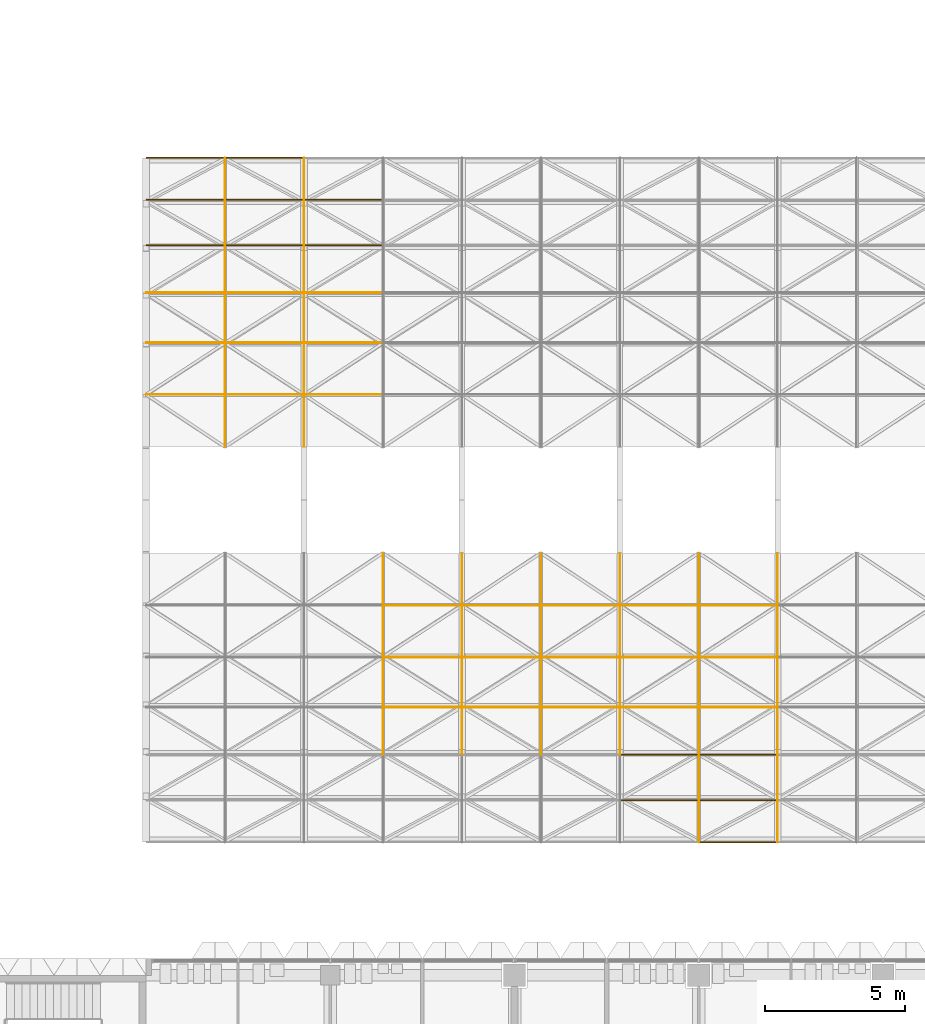
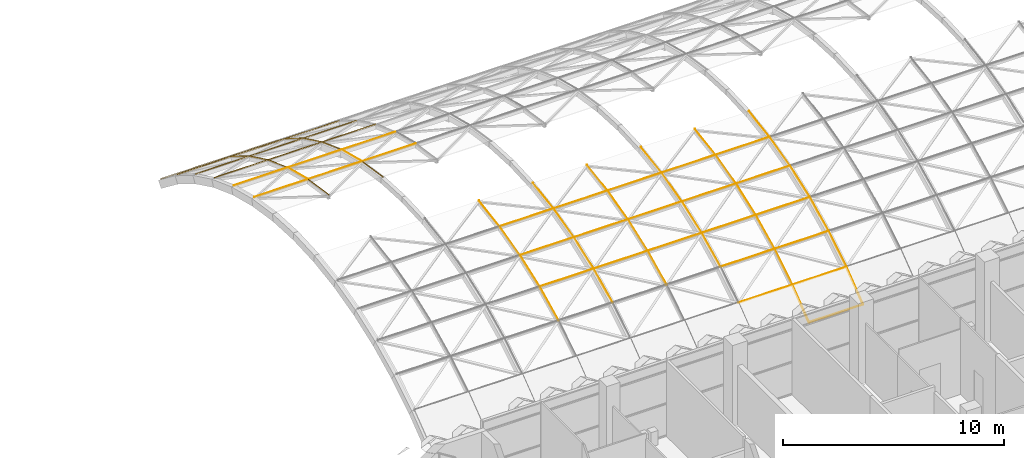
# One storey, part 58 of 85: 77 coverings.
"""IFC4 building model written with IfcOpenShell, lengths in metres."""

from ifc_helpers import new_model, si_unit, direction, frame, origin, origin_2d, place, context, subcontext, project, spatial, rectangle, extrude, material, material_profile, profile_set, type_object, element, save


model = new_model("IFC4")

# Units and contexts
model_context = context("Model", 3, precision=1e-05, world=origin(), true_north=direction((0.0, 1.0)))
body_context = subcontext(model_context, "Body", "Model", "MODEL_VIEW")
ifc_project = project(units=[si_unit("LENGTHUNIT", "METRE"), si_unit("AREAUNIT", "SQUARE_METRE"), si_unit("VOLUMEUNIT", "CUBIC_METRE"), si_unit("PLANEANGLEUNIT", "RADIAN"), si_unit("MASSUNIT", "GRAM", prefix="KILO")], contexts=[model_context])

# Site, building, storey
site_placement = place(None, origin())
site = spatial("IfcSite", under=ifc_project, at=site_placement, CompositionType="ELEMENT")
building_placement = place(site_placement, origin())
building = spatial("IfcBuilding", under=site, at=building_placement, Name="Lantern Court Research Institute", CompositionType="ELEMENT")
storey_placement = place(building_placement, frame((0.0, 0.0, 18.89990234375)))
storey = spatial("IfcBuildingStorey", under=building, at=storey_placement, Name="L04", CompositionType="ELEMENT", Elevation=18.89990234375)

# Coverings
ifc_material_1 = material(Name="Aluminium alloy 6063-T6", Category="aluminium")
ifc_material_profile_1 = material_profile(ifc_material_1, rectangle(XDim=0.01806640625, YDim=0.035888671875, at=origin_2d()), Name="Joint cover bar 18 x 36")
ifc_profile_set_1 = profile_set([ifc_material_profile_1], Name="Aluminium alloy 6063-T6")
covering_type_1 = type_object("IfcCoveringType", Name="Joint cover bar 18 x 36", PredefinedType="MOLDING", material=ifc_profile_set_1)
for number, where, z_axis, x_axis, name in (
    (1, (39.610107421875, 43.909423828125, 4.335693359375), (1.0, 0.0, 0.0), (0.0, 0.979787176632, -0.200042716708), "Joint cover bar"),
    (2, (39.610107421875, 45.753662109375, 3.861328125), (1.0, 0.0, 0.0), (0.0, 0.954713115517, -0.29752792652), "Joint cover bar"),
):
    element("IfcCovering", number, at=place(storey_placement, frame(where, z_axis=z_axis, x_axis=x_axis)), inside=storey, type_object=covering_type_1, Name=name, PredefinedType="MOLDING", context=body_context, shape_type="SweptSolid", body=[
        extrude(rectangle(XDim=0.01806640625, YDim=0.035888671875, at=origin_2d()), origin(), (0.0, 0.0, 1.0), 2.808349609375),
    ])
for number, where, z_axis, x_axis, name in (
    (3, (42.428466796875, 42.02783203125, 4.6220703125), (0.0, 0.988622571714, -0.150417454764), (-1.0, 0.0, 0.0), "Joint cover bar"),
    (4, (42.428466796875, 43.910400390625, 4.33544921875), (0.0, 0.968474356566, -0.249113268764), (-1.0, 0.0, 0.0), "Joint cover bar"),
):
    element("IfcCovering", number, at=place(storey_placement, frame(where, z_axis=z_axis, x_axis=x_axis)), inside=storey, type_object=covering_type_1, Name=name, PredefinedType="MOLDING", context=body_context, shape_type="SweptSolid", body=[
        extrude(rectangle(XDim=0.01806640625, YDim=0.035888671875, at=origin_2d()), origin(), (0.0, 0.0, 1.0), 1.90234375),
    ])
for number, where, z_axis, x_axis, name in (
    (5, (42.4384765625, 43.909423828125, 4.335693359375), (1.0, 0.0, 0.0), (0.0, 0.979787176632, -0.200042716708), "Joint cover bar"),
    (6, (42.4384765625, 45.753662109375, 3.861328125), (1.0, 0.0, 0.0), (0.0, 0.954713115517, -0.29752792652), "Joint cover bar"),
):
    element("IfcCovering", number, at=place(storey_placement, frame(where, z_axis=z_axis, x_axis=x_axis)), inside=storey, type_object=covering_type_1, Name=name, PredefinedType="MOLDING", context=body_context, shape_type="SweptSolid", body=[
        extrude(rectangle(XDim=0.01806640625, YDim=0.035888671875, at=origin_2d()), origin(), (0.0, 0.0, 1.0), 2.80859375),
    ])
for number, where, z_axis, x_axis, name in (
    (7, (45.257080078125, 42.02783203125, 4.6220703125), (0.0, 0.988622571714, -0.150417454764), (-1.0, 0.0, 0.0), "Joint cover bar"),
    (8, (45.257080078125, 43.910400390625, 4.33544921875), (0.0, 0.968474356566, -0.249113268764), (-1.0, 0.0, 0.0), "Joint cover bar"),
):
    element("IfcCovering", number, at=place(storey_placement, frame(where, z_axis=z_axis, x_axis=x_axis)), inside=storey, type_object=covering_type_1, Name=name, PredefinedType="MOLDING", context=body_context, shape_type="SweptSolid", body=[
        extrude(rectangle(XDim=0.01806640625, YDim=0.035888671875, at=origin_2d()), origin(), (0.0, 0.0, 1.0), 1.90234375),
    ])
for number, where, z_axis, x_axis, name in (
    (9, (45.26708984375, 43.909423828125, 4.335693359375), (1.0, 0.0, 0.0), (0.0, 0.979787176632, -0.200042716708), "Joint cover bar"),
    (10, (45.26708984375, 45.753662109375, 3.861328125), (1.0, 0.0, 0.0), (0.0, 0.954713115517, -0.29752792652), "Joint cover bar"),
):
    element("IfcCovering", number, at=place(storey_placement, frame(where, z_axis=z_axis, x_axis=x_axis)), inside=storey, type_object=covering_type_1, Name=name, PredefinedType="MOLDING", context=body_context, shape_type="SweptSolid", body=[
        extrude(rectangle(XDim=0.01806640625, YDim=0.035888671875, at=origin_2d()), origin(), (0.0, 0.0, 1.0), 2.80859375),
    ])
covering_1_placement = place(storey_placement, frame((48.085693359375, 34.497314453125, 3.861572265625), z_axis=(0.0, 0.968474356566, 0.249113268764), x_axis=(-1.0, 0.0, 0.0)))
element("IfcCovering", 11, at=covering_1_placement, inside=storey, type_object=covering_type_1, Name="Joint cover bar", PredefinedType="MOLDING", context=body_context, shape_type="SweptSolid", body=[
    extrude(rectangle(XDim=0.01806640625, YDim=0.035888671875, at=origin_2d()), origin(), (0.0, 0.0, 1.0), 1.90234375),
])
covering_2_placement = place(storey_placement, frame((48.095703125, 34.496337890625, 3.861328125), z_axis=(1.0, 0.0, 0.0), x_axis=(0.0, 0.954713115517, 0.29752792652)))
element("IfcCovering", 12, at=covering_2_placement, inside=storey, type_object=covering_type_1, Name="Joint cover bar", PredefinedType="MOLDING", context=body_context, shape_type="SweptSolid", body=[
    extrude(rectangle(XDim=0.01806640625, YDim=0.035888671875, at=origin_2d()), origin(), (0.0, 0.0, 1.0), 2.80859375),
])
covering_3_placement = place(storey_placement, frame((48.085693359375, 36.341552734375, 4.3359375), z_axis=(0.0, 0.988622571714, 0.150417454764), x_axis=(-1.0, 0.0, 0.0)))
element("IfcCovering", 13, at=covering_3_placement, inside=storey, type_object=covering_type_1, Name="Joint cover bar", PredefinedType="MOLDING", context=body_context, shape_type="SweptSolid", body=[
    extrude(rectangle(XDim=0.01806640625, YDim=0.035888671875, at=origin_2d()), origin(), (0.0, 0.0, 1.0), 1.90234375),
])
covering_4_placement = place(storey_placement, frame((48.095703125, 36.340576171875, 4.335693359375), z_axis=(1.0, 0.0, 0.0), x_axis=(0.0, 0.979787176632, 0.200042716708)))
element("IfcCovering", 14, at=covering_4_placement, inside=storey, type_object=covering_type_1, Name="Joint cover bar", PredefinedType="MOLDING", context=body_context, shape_type="SweptSolid", body=[
    extrude(rectangle(XDim=0.01806640625, YDim=0.035888671875, at=origin_2d()), origin(), (0.0, 0.0, 1.0), 2.80859375),
])
covering_5_placement = place(storey_placement, frame((50.914306640625, 34.497314453125, 3.861572265625), z_axis=(0.0, 0.968474356566, 0.249113268764), x_axis=(-1.0, 0.0, 0.0)))
element("IfcCovering", 15, at=covering_5_placement, inside=storey, type_object=covering_type_1, Name="Joint cover bar", PredefinedType="MOLDING", context=body_context, shape_type="SweptSolid", body=[
    extrude(rectangle(XDim=0.01806640625, YDim=0.035888671875, at=origin_2d()), origin(), (0.0, 0.0, 1.0), 1.90234375),
])
covering_6_placement = place(storey_placement, frame((50.92431640625, 34.496337890625, 3.861328125), z_axis=(1.0, 0.0, 0.0), x_axis=(0.0, 0.954713115517, 0.29752792652)))
element("IfcCovering", 16, at=covering_6_placement, inside=storey, type_object=covering_type_1, Name="Joint cover bar", PredefinedType="MOLDING", context=body_context, shape_type="SweptSolid", body=[
    extrude(rectangle(XDim=0.01806640625, YDim=0.035888671875, at=origin_2d()), origin(), (0.0, 0.0, 1.0), 2.80859375),
])
covering_7_placement = place(storey_placement, frame((50.914306640625, 36.341552734375, 4.3359375), z_axis=(0.0, 0.988622571714, 0.150417454764), x_axis=(-1.0, 0.0, 0.0)))
element("IfcCovering", 17, at=covering_7_placement, inside=storey, type_object=covering_type_1, Name="Joint cover bar", PredefinedType="MOLDING", context=body_context, shape_type="SweptSolid", body=[
    extrude(rectangle(XDim=0.01806640625, YDim=0.035888671875, at=origin_2d()), origin(), (0.0, 0.0, 1.0), 1.90234375),
])
covering_8_placement = place(storey_placement, frame((50.92431640625, 36.340576171875, 4.335693359375), z_axis=(1.0, 0.0, 0.0), x_axis=(0.0, 0.979787176632, 0.200042716708)))
element("IfcCovering", 18, at=covering_8_placement, inside=storey, type_object=covering_type_1, Name="Joint cover bar", PredefinedType="MOLDING", context=body_context, shape_type="SweptSolid", body=[
    extrude(rectangle(XDim=0.01806640625, YDim=0.035888671875, at=origin_2d()), origin(), (0.0, 0.0, 1.0), 2.80859375),
])
covering_9_placement = place(storey_placement, frame((53.742919921875, 34.497314453125, 3.861572265625), z_axis=(0.0, 0.968474356566, 0.249113268764), x_axis=(-1.0, 0.0, 0.0)))
element("IfcCovering", 19, at=covering_9_placement, inside=storey, type_object=covering_type_1, Name="Joint cover bar", PredefinedType="MOLDING", context=body_context, shape_type="SweptSolid", body=[
    extrude(rectangle(XDim=0.01806640625, YDim=0.035888671875, at=origin_2d()), origin(), (0.0, 0.0, 1.0), 1.90234375),
])
covering_10_placement = place(storey_placement, frame((53.7529296875, 34.496337890625, 3.861328125), z_axis=(1.0, 0.0, 0.0), x_axis=(0.0, 0.954713115517, 0.29752792652)))
element("IfcCovering", 20, at=covering_10_placement, inside=storey, type_object=covering_type_1, Name="Joint cover bar", PredefinedType="MOLDING", context=body_context, shape_type="SweptSolid", body=[
    extrude(rectangle(XDim=0.01806640625, YDim=0.035888671875, at=origin_2d()), origin(), (0.0, 0.0, 1.0), 2.80859375),
])
covering_11_placement = place(storey_placement, frame((53.742919921875, 36.341552734375, 4.3359375), z_axis=(0.0, 0.988622571714, 0.150417454764), x_axis=(-1.0, 0.0, 0.0)))
element("IfcCovering", 21, at=covering_11_placement, inside=storey, type_object=covering_type_1, Name="Joint cover bar", PredefinedType="MOLDING", context=body_context, shape_type="SweptSolid", body=[
    extrude(rectangle(XDim=0.01806640625, YDim=0.035888671875, at=origin_2d()), origin(), (0.0, 0.0, 1.0), 1.90234375),
])
covering_12_placement = place(storey_placement, frame((53.7529296875, 36.340576171875, 4.335693359375), z_axis=(1.0, 0.0, 0.0), x_axis=(0.0, 0.979787176632, 0.200042716708)))
element("IfcCovering", 22, at=covering_12_placement, inside=storey, type_object=covering_type_1, Name="Joint cover bar", PredefinedType="MOLDING", context=body_context, shape_type="SweptSolid", body=[
    extrude(rectangle(XDim=0.01806640625, YDim=0.035888671875, at=origin_2d()), origin(), (0.0, 0.0, 1.0), 2.80859375),
])
covering_13_placement = place(storey_placement, frame((56.571533203125, 34.497314453125, 3.861572265625), z_axis=(0.0, 0.968474356566, 0.249113268764), x_axis=(-1.0, 0.0, 0.0)))
element("IfcCovering", 23, at=covering_13_placement, inside=storey, type_object=covering_type_1, Name="Joint cover bar", PredefinedType="MOLDING", context=body_context, shape_type="SweptSolid", body=[
    extrude(rectangle(XDim=0.01806640625, YDim=0.035888671875, at=origin_2d()), origin(), (0.0, 0.0, 1.0), 1.90234375),
])
covering_14_placement = place(storey_placement, frame((56.58154296875, 34.496337890625, 3.861328125), z_axis=(1.0, 0.0, 0.0), x_axis=(0.0, 0.954713115517, 0.29752792652)))
element("IfcCovering", 24, at=covering_14_placement, inside=storey, type_object=covering_type_1, Name="Joint cover bar", PredefinedType="MOLDING", context=body_context, shape_type="SweptSolid", body=[
    extrude(rectangle(XDim=0.01806640625, YDim=0.035888671875, at=origin_2d()), origin(), (0.0, 0.0, 1.0), 2.808349609375),
])
covering_15_placement = place(storey_placement, frame((56.571533203125, 36.341552734375, 4.3359375), z_axis=(0.0, 0.988622571714, 0.150417454764), x_axis=(-1.0, 0.0, 0.0)))
element("IfcCovering", 25, at=covering_15_placement, inside=storey, type_object=covering_type_1, Name="Joint cover bar", PredefinedType="MOLDING", context=body_context, shape_type="SweptSolid", body=[
    extrude(rectangle(XDim=0.01806640625, YDim=0.035888671875, at=origin_2d()), origin(), (0.0, 0.0, 1.0), 1.90234375),
])
covering_16_placement = place(storey_placement, frame((56.58154296875, 36.340576171875, 4.335693359375), z_axis=(1.0, 0.0, 0.0), x_axis=(0.0, 0.979787176632, 0.200042716708)))
element("IfcCovering", 26, at=covering_16_placement, inside=storey, type_object=covering_type_1, Name="Joint cover bar", PredefinedType="MOLDING", context=body_context, shape_type="SweptSolid", body=[
    extrude(rectangle(XDim=0.01806640625, YDim=0.035888671875, at=origin_2d()), origin(), (0.0, 0.0, 1.0), 2.808349609375),
])
covering_17_placement = place(storey_placement, frame((59.39990234375, 34.497314453125, 3.861572265625), z_axis=(0.0, 0.968474356566, 0.249113268764), x_axis=(-1.0, 0.0, 0.0)))
element("IfcCovering", 27, at=covering_17_placement, inside=storey, type_object=covering_type_1, Name="Joint cover bar", PredefinedType="MOLDING", context=body_context, shape_type="SweptSolid", body=[
    extrude(rectangle(XDim=0.01806640625, YDim=0.035888671875, at=origin_2d()), origin(), (0.0, 0.0, 1.0), 1.90234375),
])
covering_18_placement = place(storey_placement, frame((59.409912109375, 34.496337890625, 3.861328125), z_axis=(1.0, 0.0, 0.0), x_axis=(0.0, 0.954713115517, 0.29752792652)))
element("IfcCovering", 28, at=covering_18_placement, inside=storey, type_object=covering_type_1, Name="Joint cover bar", PredefinedType="MOLDING", context=body_context, shape_type="SweptSolid", body=[
    extrude(rectangle(XDim=0.01806640625, YDim=0.035888671875, at=origin_2d()), origin(), (0.0, 0.0, 1.0), 2.80859375),
])
covering_19_placement = place(storey_placement, frame((59.39990234375, 36.341552734375, 4.3359375), z_axis=(0.0, 0.988622571714, 0.150417454764), x_axis=(-1.0, 0.0, 0.0)))
element("IfcCovering", 29, at=covering_19_placement, inside=storey, type_object=covering_type_1, Name="Joint cover bar", PredefinedType="MOLDING", context=body_context, shape_type="SweptSolid", body=[
    extrude(rectangle(XDim=0.01806640625, YDim=0.035888671875, at=origin_2d()), origin(), (0.0, 0.0, 1.0), 1.90234375),
])
covering_20_placement = place(storey_placement, frame((59.409912109375, 36.340576171875, 4.335693359375), z_axis=(1.0, 0.0, 0.0), x_axis=(0.0, 0.979787176632, 0.200042716708)))
element("IfcCovering", 30, at=covering_20_placement, inside=storey, type_object=covering_type_1, Name="Joint cover bar", PredefinedType="MOLDING", context=body_context, shape_type="SweptSolid", body=[
    extrude(rectangle(XDim=0.01806640625, YDim=0.035888671875, at=origin_2d()), origin(), (0.0, 0.0, 1.0), 2.80859375),
])
for number, where, z_axis, x_axis, name in (
    (31, (62.228515625, 34.497314453125, 3.861572265625), (0.0, 0.968474356566, 0.249113268764), (-1.0, 0.0, 0.0), "Joint cover bar"),
    (32, (62.228515625, 36.341552734375, 4.3359375), (0.0, 0.988622571714, 0.150417454764), (-1.0, 0.0, 0.0), "Joint cover bar"),
):
    element("IfcCovering", number, at=place(storey_placement, frame(where, z_axis=z_axis, x_axis=x_axis)), inside=storey, type_object=covering_type_1, Name=name, PredefinedType="MOLDING", context=body_context, shape_type="SweptSolid", body=[
        extrude(rectangle(XDim=0.01806640625, YDim=0.035888671875, at=origin_2d()), origin(), (0.0, 0.0, 1.0), 1.90234375),
    ])
ifc_material_2 = material(Name="Aluminium alloy 6063-T6", Category="aluminium")
ifc_material_profile_2 = material_profile(ifc_material_2, rectangle(XDim=0.01806640625, YDim=0.0439453125, at=origin_2d()), Name="Joint cover bar 18 x 44")
ifc_profile_set_2 = profile_set([ifc_material_profile_2], Name="Aluminium alloy 6063-T6")
covering_type_2 = type_object("IfcCoveringType", Name="Joint cover bar 18 x 44", PredefinedType="MOLDING", material=ifc_profile_set_2)
for number, where, z_axis, x_axis, name in (
    (33, (39.610107421875, 47.54248046875, 3.207763671875), (1.0, 0.0, 0.0), (0.0, 0.919965822984, -0.391998577219), "Joint cover bar"),
    (34, (39.610107421875, 49.2548828125, 2.373779296875), (1.0, 0.0, 0.0), (0.0, 0.875897373228, -0.482497452399), "Joint cover bar"),
    (35, (39.610107421875, 50.874755859375, 1.3720703125), (1.0, 0.0, 0.0), (0.0, 0.822954255966, -0.568107641726), "Joint cover bar"),
    (36, (39.610107421875, 52.3857421875, 0.21240234375), (1.0, 0.0, 0.0), (0.0, 0.761672913152, -0.647961706717), "Joint cover bar"),
):
    element("IfcCovering", number, at=place(storey_placement, frame(where, z_axis=z_axis, x_axis=x_axis)), inside=storey, type_object=covering_type_2, Name=name, PredefinedType="MOLDING", context=body_context, shape_type="SweptSolid", body=[
        extrude(rectangle(XDim=0.01806640625, YDim=0.0439453125, at=origin_2d()), origin(), (0.0, 0.0, 1.0), 2.808349609375),
    ])
covering_21_placement = place(storey_placement, frame((42.428466796875, 45.755859375, 3.86474609375), z_axis=(0.0, 0.938520472327, -0.345223584105), x_axis=(-1.0, 0.0, 0.0)))
element("IfcCovering", 37, at=covering_21_placement, inside=storey, type_object=covering_type_2, Name="Joint cover bar", PredefinedType="MOLDING", context=body_context, shape_type="SweptSolid", body=[
    extrude(rectangle(XDim=0.01806640625, YDim=0.0439453125, at=origin_2d()), origin(), (0.0, 0.0, 1.0), 1.90234375),
])
covering_22_placement = place(storey_placement, frame((42.428466796875, 47.54345703125, 3.207275390625), z_axis=(0.0, 0.899049454889, -0.437847093931), x_axis=(-1.0, 0.0, 0.0)))
element("IfcCovering", 38, at=covering_22_placement, inside=storey, type_object=covering_type_2, Name="Joint cover bar", PredefinedType="MOLDING", context=body_context, shape_type="SweptSolid", body=[
    extrude(rectangle(XDim=0.01806640625, YDim=0.0439453125, at=origin_2d()), origin(), (0.0, 0.0, 1.0), 1.902587890625),
])
covering_23_placement = place(storey_placement, frame((42.4384765625, 47.54248046875, 3.207763671875), z_axis=(1.0, 0.0, 0.0), x_axis=(0.0, 0.919965822984, -0.391998577219)))
element("IfcCovering", 39, at=covering_23_placement, inside=storey, type_object=covering_type_2, Name="Joint cover bar", PredefinedType="MOLDING", context=body_context, shape_type="SweptSolid", body=[
    extrude(rectangle(XDim=0.01806640625, YDim=0.0439453125, at=origin_2d()), origin(), (0.0, 0.0, 1.0), 2.80859375),
])
covering_24_placement = place(storey_placement, frame((42.428466796875, 49.255859375, 2.373291015625), z_axis=(0.0, 0.850462004525, -0.526036480541), x_axis=(-1.0, 0.0, 0.0)))
element("IfcCovering", 40, at=covering_24_placement, inside=storey, type_object=covering_type_2, Name="Joint cover bar", PredefinedType="MOLDING", context=body_context, shape_type="SweptSolid", body=[
    extrude(rectangle(XDim=0.01806640625, YDim=0.0439453125, at=origin_2d()), origin(), (0.0, 0.0, 1.0), 1.90234375),
])
covering_25_placement = place(storey_placement, frame((42.4384765625, 49.2548828125, 2.373779296875), z_axis=(1.0, 0.0, 0.0), x_axis=(0.0, 0.875897373228, -0.482497452399)))
element("IfcCovering", 41, at=covering_25_placement, inside=storey, type_object=covering_type_2, Name="Joint cover bar", PredefinedType="MOLDING", context=body_context, shape_type="SweptSolid", body=[
    extrude(rectangle(XDim=0.01806640625, YDim=0.0439453125, at=origin_2d()), origin(), (0.0, 0.0, 1.0), 2.80859375),
])
covering_26_placement = place(storey_placement, frame((42.428466796875, 50.875732421875, 1.371337890625), z_axis=(0.0, 0.793329505358, -0.608792490039), x_axis=(-1.0, 0.0, 0.0)))
element("IfcCovering", 42, at=covering_26_placement, inside=storey, type_object=covering_type_2, Name="Joint cover bar", PredefinedType="MOLDING", context=body_context, shape_type="SweptSolid", body=[
    extrude(rectangle(XDim=0.01806640625, YDim=0.0439453125, at=origin_2d()), origin(), (0.0, 0.0, 1.0), 1.90234375),
])
for number, where, z_axis, x_axis, name in (
    (43, (42.4384765625, 50.874755859375, 1.3720703125), (1.0, 0.0, 0.0), (0.0, 0.822954255966, -0.568107641726), "Joint cover bar"),
    (44, (42.4384765625, 52.3857421875, 0.21240234375), (1.0, 0.0, 0.0), (0.0, 0.761672913152, -0.647961706717), "Joint cover bar"),
):
    element("IfcCovering", number, at=place(storey_placement, frame(where, z_axis=z_axis, x_axis=x_axis)), inside=storey, type_object=covering_type_2, Name=name, PredefinedType="MOLDING", context=body_context, shape_type="SweptSolid", body=[
        extrude(rectangle(XDim=0.01806640625, YDim=0.0439453125, at=origin_2d()), origin(), (0.0, 0.0, 1.0), 2.80859375),
    ])
covering_27_placement = place(storey_placement, frame((45.257080078125, 45.755859375, 3.86474609375), z_axis=(0.0, 0.938520472327, -0.345223584105), x_axis=(-1.0, 0.0, 0.0)))
element("IfcCovering", 45, at=covering_27_placement, inside=storey, type_object=covering_type_2, Name="Joint cover bar", PredefinedType="MOLDING", context=body_context, shape_type="SweptSolid", body=[
    extrude(rectangle(XDim=0.01806640625, YDim=0.0439453125, at=origin_2d()), origin(), (0.0, 0.0, 1.0), 1.90234375),
])
covering_28_placement = place(storey_placement, frame((45.257080078125, 47.54345703125, 3.207275390625), z_axis=(0.0, 0.899049454889, -0.437847093931), x_axis=(-1.0, 0.0, 0.0)))
element("IfcCovering", 46, at=covering_28_placement, inside=storey, type_object=covering_type_2, Name="Joint cover bar", PredefinedType="MOLDING", context=body_context, shape_type="SweptSolid", body=[
    extrude(rectangle(XDim=0.01806640625, YDim=0.0439453125, at=origin_2d()), origin(), (0.0, 0.0, 1.0), 1.902587890625),
])
covering_29_placement = place(storey_placement, frame((45.26708984375, 47.54248046875, 3.207763671875), z_axis=(1.0, 0.0, 0.0), x_axis=(0.0, 0.919965822984, -0.391998577219)))
element("IfcCovering", 47, at=covering_29_placement, inside=storey, type_object=covering_type_2, Name="Joint cover bar", PredefinedType="MOLDING", context=body_context, shape_type="SweptSolid", body=[
    extrude(rectangle(XDim=0.01806640625, YDim=0.0439453125, at=origin_2d()), origin(), (0.0, 0.0, 1.0), 2.80859375),
])
covering_30_placement = place(storey_placement, frame((45.257080078125, 49.255859375, 2.373291015625), z_axis=(0.0, 0.850462004525, -0.526036480541), x_axis=(-1.0, 0.0, 0.0)))
element("IfcCovering", 48, at=covering_30_placement, inside=storey, type_object=covering_type_2, Name="Joint cover bar", PredefinedType="MOLDING", context=body_context, shape_type="SweptSolid", body=[
    extrude(rectangle(XDim=0.01806640625, YDim=0.0439453125, at=origin_2d()), origin(), (0.0, 0.0, 1.0), 1.90234375),
])
covering_31_placement = place(storey_placement, frame((45.26708984375, 49.2548828125, 2.373779296875), z_axis=(1.0, 0.0, 0.0), x_axis=(0.0, 0.875897373228, -0.482497452399)))
element("IfcCovering", 49, at=covering_31_placement, inside=storey, type_object=covering_type_2, Name="Joint cover bar", PredefinedType="MOLDING", context=body_context, shape_type="SweptSolid", body=[
    extrude(rectangle(XDim=0.01806640625, YDim=0.0439453125, at=origin_2d()), origin(), (0.0, 0.0, 1.0), 2.80859375),
])
covering_32_placement = place(storey_placement, frame((45.257080078125, 50.875732421875, 1.371337890625), z_axis=(0.0, 0.793329505358, -0.608792490039), x_axis=(-1.0, 0.0, 0.0)))
element("IfcCovering", 50, at=covering_32_placement, inside=storey, type_object=covering_type_2, Name="Joint cover bar", PredefinedType="MOLDING", context=body_context, shape_type="SweptSolid", body=[
    extrude(rectangle(XDim=0.01806640625, YDim=0.0439453125, at=origin_2d()), origin(), (0.0, 0.0, 1.0), 1.90234375),
])
covering_33_placement = place(storey_placement, frame((45.26708984375, 50.874755859375, 1.3720703125), z_axis=(1.0, 0.0, 0.0), x_axis=(0.0, 0.822954255966, -0.568107641726)))
element("IfcCovering", 51, at=covering_33_placement, inside=storey, type_object=covering_type_2, Name="Joint cover bar", PredefinedType="MOLDING", context=body_context, shape_type="SweptSolid", body=[
    extrude(rectangle(XDim=0.01806640625, YDim=0.0439453125, at=origin_2d()), origin(), (0.0, 0.0, 1.0), 2.80859375),
])
covering_34_placement = place(storey_placement, frame((48.085693359375, 30.99609375, 2.374267578125), z_axis=(0.0, 0.899049454889, 0.437847093931), x_axis=(-1.0, 0.0, 0.0)))
element("IfcCovering", 52, at=covering_34_placement, inside=storey, type_object=covering_type_2, Name="Joint cover bar", PredefinedType="MOLDING", context=body_context, shape_type="SweptSolid", body=[
    extrude(rectangle(XDim=0.01806640625, YDim=0.0439453125, at=origin_2d()), origin(), (0.0, 0.0, 1.0), 1.902587890625),
])
covering_35_placement = place(storey_placement, frame((48.085693359375, 32.708740234375, 3.2080078125), z_axis=(0.0, 0.938520472327, 0.345223584105), x_axis=(-1.0, 0.0, 0.0)))
element("IfcCovering", 53, at=covering_35_placement, inside=storey, type_object=covering_type_2, Name="Joint cover bar", PredefinedType="MOLDING", context=body_context, shape_type="SweptSolid", body=[
    extrude(rectangle(XDim=0.01806640625, YDim=0.0439453125, at=origin_2d()), origin(), (0.0, 0.0, 1.0), 1.90234375),
])
covering_36_placement = place(storey_placement, frame((48.095703125, 32.70751953125, 3.207763671875), z_axis=(1.0, 0.0, 0.0), x_axis=(0.0, 0.919965822984, 0.391998577219)))
element("IfcCovering", 54, at=covering_36_placement, inside=storey, type_object=covering_type_2, Name="Joint cover bar", PredefinedType="MOLDING", context=body_context, shape_type="SweptSolid", body=[
    extrude(rectangle(XDim=0.01806640625, YDim=0.0439453125, at=origin_2d()), origin(), (0.0, 0.0, 1.0), 2.80859375),
])
covering_37_placement = place(storey_placement, frame((50.914306640625, 30.99609375, 2.374267578125), z_axis=(0.0, 0.899049454889, 0.437847093931), x_axis=(-1.0, 0.0, 0.0)))
element("IfcCovering", 55, at=covering_37_placement, inside=storey, type_object=covering_type_2, Name="Joint cover bar", PredefinedType="MOLDING", context=body_context, shape_type="SweptSolid", body=[
    extrude(rectangle(XDim=0.01806640625, YDim=0.0439453125, at=origin_2d()), origin(), (0.0, 0.0, 1.0), 1.902587890625),
])
covering_38_placement = place(storey_placement, frame((50.914306640625, 32.708740234375, 3.2080078125), z_axis=(0.0, 0.938520472327, 0.345223584105), x_axis=(-1.0, 0.0, 0.0)))
element("IfcCovering", 56, at=covering_38_placement, inside=storey, type_object=covering_type_2, Name="Joint cover bar", PredefinedType="MOLDING", context=body_context, shape_type="SweptSolid", body=[
    extrude(rectangle(XDim=0.01806640625, YDim=0.0439453125, at=origin_2d()), origin(), (0.0, 0.0, 1.0), 1.90234375),
])
covering_39_placement = place(storey_placement, frame((50.92431640625, 32.70751953125, 3.207763671875), z_axis=(1.0, 0.0, 0.0), x_axis=(0.0, 0.919965822984, 0.391998577219)))
element("IfcCovering", 57, at=covering_39_placement, inside=storey, type_object=covering_type_2, Name="Joint cover bar", PredefinedType="MOLDING", context=body_context, shape_type="SweptSolid", body=[
    extrude(rectangle(XDim=0.01806640625, YDim=0.0439453125, at=origin_2d()), origin(), (0.0, 0.0, 1.0), 2.80859375),
])
covering_40_placement = place(storey_placement, frame((53.742919921875, 30.99609375, 2.374267578125), z_axis=(0.0, 0.899049454889, 0.437847093931), x_axis=(-1.0, 0.0, 0.0)))
element("IfcCovering", 58, at=covering_40_placement, inside=storey, type_object=covering_type_2, Name="Joint cover bar", PredefinedType="MOLDING", context=body_context, shape_type="SweptSolid", body=[
    extrude(rectangle(XDim=0.01806640625, YDim=0.0439453125, at=origin_2d()), origin(), (0.0, 0.0, 1.0), 1.902587890625),
])
covering_41_placement = place(storey_placement, frame((53.742919921875, 32.708740234375, 3.2080078125), z_axis=(0.0, 0.938520472327, 0.345223584105), x_axis=(-1.0, 0.0, 0.0)))
element("IfcCovering", 59, at=covering_41_placement, inside=storey, type_object=covering_type_2, Name="Joint cover bar", PredefinedType="MOLDING", context=body_context, shape_type="SweptSolid", body=[
    extrude(rectangle(XDim=0.01806640625, YDim=0.0439453125, at=origin_2d()), origin(), (0.0, 0.0, 1.0), 1.90234375),
])
covering_42_placement = place(storey_placement, frame((53.7529296875, 32.70751953125, 3.207763671875), z_axis=(1.0, 0.0, 0.0), x_axis=(0.0, 0.919965822984, 0.391998577219)))
element("IfcCovering", 60, at=covering_42_placement, inside=storey, type_object=covering_type_2, Name="Joint cover bar", PredefinedType="MOLDING", context=body_context, shape_type="SweptSolid", body=[
    extrude(rectangle(XDim=0.01806640625, YDim=0.0439453125, at=origin_2d()), origin(), (0.0, 0.0, 1.0), 2.80859375),
])
covering_43_placement = place(storey_placement, frame((56.58154296875, 29.375244140625, 1.3720703125), z_axis=(1.0, 0.0, 0.0), x_axis=(0.0, 0.822954255966, 0.568107641726)))
element("IfcCovering", 61, at=covering_43_placement, inside=storey, type_object=covering_type_2, Name="Joint cover bar", PredefinedType="MOLDING", context=body_context, shape_type="SweptSolid", body=[
    extrude(rectangle(XDim=0.01806640625, YDim=0.0439453125, at=origin_2d()), origin(), (0.0, 0.0, 1.0), 2.808349609375),
])
covering_44_placement = place(storey_placement, frame((56.571533203125, 30.99609375, 2.374267578125), z_axis=(0.0, 0.899049454889, 0.437847093931), x_axis=(-1.0, 0.0, 0.0)))
element("IfcCovering", 62, at=covering_44_placement, inside=storey, type_object=covering_type_2, Name="Joint cover bar", PredefinedType="MOLDING", context=body_context, shape_type="SweptSolid", body=[
    extrude(rectangle(XDim=0.01806640625, YDim=0.0439453125, at=origin_2d()), origin(), (0.0, 0.0, 1.0), 1.902587890625),
])
covering_45_placement = place(storey_placement, frame((56.58154296875, 30.9951171875, 2.373779296875), z_axis=(1.0, 0.0, 0.0), x_axis=(0.0, 0.875897373228, 0.482497452399)))
element("IfcCovering", 63, at=covering_45_placement, inside=storey, type_object=covering_type_2, Name="Joint cover bar", PredefinedType="MOLDING", context=body_context, shape_type="SweptSolid", body=[
    extrude(rectangle(XDim=0.01806640625, YDim=0.0439453125, at=origin_2d()), origin(), (0.0, 0.0, 1.0), 2.808349609375),
])
covering_46_placement = place(storey_placement, frame((56.571533203125, 32.708740234375, 3.2080078125), z_axis=(0.0, 0.938520472327, 0.345223584105), x_axis=(-1.0, 0.0, 0.0)))
element("IfcCovering", 64, at=covering_46_placement, inside=storey, type_object=covering_type_2, Name="Joint cover bar", PredefinedType="MOLDING", context=body_context, shape_type="SweptSolid", body=[
    extrude(rectangle(XDim=0.01806640625, YDim=0.0439453125, at=origin_2d()), origin(), (0.0, 0.0, 1.0), 1.90234375),
])
covering_47_placement = place(storey_placement, frame((56.58154296875, 32.70751953125, 3.207763671875), z_axis=(1.0, 0.0, 0.0), x_axis=(0.0, 0.919965822984, 0.391998577219)))
element("IfcCovering", 65, at=covering_47_placement, inside=storey, type_object=covering_type_2, Name="Joint cover bar", PredefinedType="MOLDING", context=body_context, shape_type="SweptSolid", body=[
    extrude(rectangle(XDim=0.01806640625, YDim=0.0439453125, at=origin_2d()), origin(), (0.0, 0.0, 1.0), 2.808349609375),
])
covering_48_placement = place(storey_placement, frame((59.39990234375, 27.864990234375, 0.213134765625), z_axis=(0.0, 0.793329505358, 0.608792490039), x_axis=(-1.0, 0.0, 0.0)))
element("IfcCovering", 66, at=covering_48_placement, inside=storey, type_object=covering_type_2, Name="Joint cover bar", PredefinedType="MOLDING", context=body_context, shape_type="SweptSolid", body=[
    extrude(rectangle(XDim=0.01806640625, YDim=0.0439453125, at=origin_2d()), origin(), (0.0, 0.0, 1.0), 1.90234375),
])
covering_49_placement = place(storey_placement, frame((59.409912109375, 27.8642578125, 0.21240234375), z_axis=(1.0, 0.0, 0.0), x_axis=(0.0, 0.761672913152, 0.647961706717)))
element("IfcCovering", 67, at=covering_49_placement, inside=storey, type_object=covering_type_2, Name="Joint cover bar", PredefinedType="MOLDING", context=body_context, shape_type="SweptSolid", body=[
    extrude(rectangle(XDim=0.01806640625, YDim=0.0439453125, at=origin_2d()), origin(), (0.0, 0.0, 1.0), 2.80859375),
])
covering_50_placement = place(storey_placement, frame((59.39990234375, 29.376220703125, 1.37255859375), z_axis=(0.0, 0.850462004525, 0.526036480541), x_axis=(-1.0, 0.0, 0.0)))
element("IfcCovering", 68, at=covering_50_placement, inside=storey, type_object=covering_type_2, Name="Joint cover bar", PredefinedType="MOLDING", context=body_context, shape_type="SweptSolid", body=[
    extrude(rectangle(XDim=0.01806640625, YDim=0.0439453125, at=origin_2d()), origin(), (0.0, 0.0, 1.0), 1.90234375),
])
covering_51_placement = place(storey_placement, frame((59.409912109375, 29.375244140625, 1.3720703125), z_axis=(1.0, 0.0, 0.0), x_axis=(0.0, 0.822954255966, 0.568107641726)))
element("IfcCovering", 69, at=covering_51_placement, inside=storey, type_object=covering_type_2, Name="Joint cover bar", PredefinedType="MOLDING", context=body_context, shape_type="SweptSolid", body=[
    extrude(rectangle(XDim=0.01806640625, YDim=0.0439453125, at=origin_2d()), origin(), (0.0, 0.0, 1.0), 2.80859375),
])
covering_52_placement = place(storey_placement, frame((59.39990234375, 30.99609375, 2.374267578125), z_axis=(0.0, 0.899049454889, 0.437847093931), x_axis=(-1.0, 0.0, 0.0)))
element("IfcCovering", 70, at=covering_52_placement, inside=storey, type_object=covering_type_2, Name="Joint cover bar", PredefinedType="MOLDING", context=body_context, shape_type="SweptSolid", body=[
    extrude(rectangle(XDim=0.01806640625, YDim=0.0439453125, at=origin_2d()), origin(), (0.0, 0.0, 1.0), 1.902587890625),
])
covering_53_placement = place(storey_placement, frame((59.409912109375, 30.9951171875, 2.373779296875), z_axis=(1.0, 0.0, 0.0), x_axis=(0.0, 0.875897373228, 0.482497452399)))
element("IfcCovering", 71, at=covering_53_placement, inside=storey, type_object=covering_type_2, Name="Joint cover bar", PredefinedType="MOLDING", context=body_context, shape_type="SweptSolid", body=[
    extrude(rectangle(XDim=0.01806640625, YDim=0.0439453125, at=origin_2d()), origin(), (0.0, 0.0, 1.0), 2.80859375),
])
covering_54_placement = place(storey_placement, frame((59.39990234375, 32.708740234375, 3.2080078125), z_axis=(0.0, 0.938520472327, 0.345223584105), x_axis=(-1.0, 0.0, 0.0)))
element("IfcCovering", 72, at=covering_54_placement, inside=storey, type_object=covering_type_2, Name="Joint cover bar", PredefinedType="MOLDING", context=body_context, shape_type="SweptSolid", body=[
    extrude(rectangle(XDim=0.01806640625, YDim=0.0439453125, at=origin_2d()), origin(), (0.0, 0.0, 1.0), 1.90234375),
])
covering_55_placement = place(storey_placement, frame((59.409912109375, 32.70751953125, 3.207763671875), z_axis=(1.0, 0.0, 0.0), x_axis=(0.0, 0.919965822984, 0.391998577219)))
element("IfcCovering", 73, at=covering_55_placement, inside=storey, type_object=covering_type_2, Name="Joint cover bar", PredefinedType="MOLDING", context=body_context, shape_type="SweptSolid", body=[
    extrude(rectangle(XDim=0.01806640625, YDim=0.0439453125, at=origin_2d()), origin(), (0.0, 0.0, 1.0), 2.80859375),
])
for number, where, z_axis, x_axis, name in (
    (74, (62.228515625, 27.864990234375, 0.213134765625), (0.0, 0.793329505358, 0.608792490039), (-1.0, 0.0, 0.0), "Joint cover bar"),
    (75, (62.228515625, 29.376220703125, 1.37255859375), (0.0, 0.850462004525, 0.526036480541), (-1.0, 0.0, 0.0), "Joint cover bar"),
):
    element("IfcCovering", number, at=place(storey_placement, frame(where, z_axis=z_axis, x_axis=x_axis)), inside=storey, type_object=covering_type_2, Name=name, PredefinedType="MOLDING", context=body_context, shape_type="SweptSolid", body=[
        extrude(rectangle(XDim=0.01806640625, YDim=0.0439453125, at=origin_2d()), origin(), (0.0, 0.0, 1.0), 1.90234375),
    ])
covering_56_placement = place(storey_placement, frame((62.228515625, 30.99609375, 2.374267578125), z_axis=(0.0, 0.899049454889, 0.437847093931), x_axis=(-1.0, 0.0, 0.0)))
element("IfcCovering", 76, at=covering_56_placement, inside=storey, type_object=covering_type_2, Name="Joint cover bar", PredefinedType="MOLDING", context=body_context, shape_type="SweptSolid", body=[
    extrude(rectangle(XDim=0.01806640625, YDim=0.0439453125, at=origin_2d()), origin(), (0.0, 0.0, 1.0), 1.902587890625),
])
covering_57_placement = place(storey_placement, frame((62.228515625, 32.708740234375, 3.2080078125), z_axis=(0.0, 0.938520472327, 0.345223584105), x_axis=(-1.0, 0.0, 0.0)))
element("IfcCovering", 77, at=covering_57_placement, inside=storey, type_object=covering_type_2, Name="Joint cover bar", PredefinedType="MOLDING", context=body_context, shape_type="SweptSolid", body=[
    extrude(rectangle(XDim=0.01806640625, YDim=0.0439453125, at=origin_2d()), origin(), (0.0, 0.0, 1.0), 1.90234375),
])

save(model, "model.ifc")
